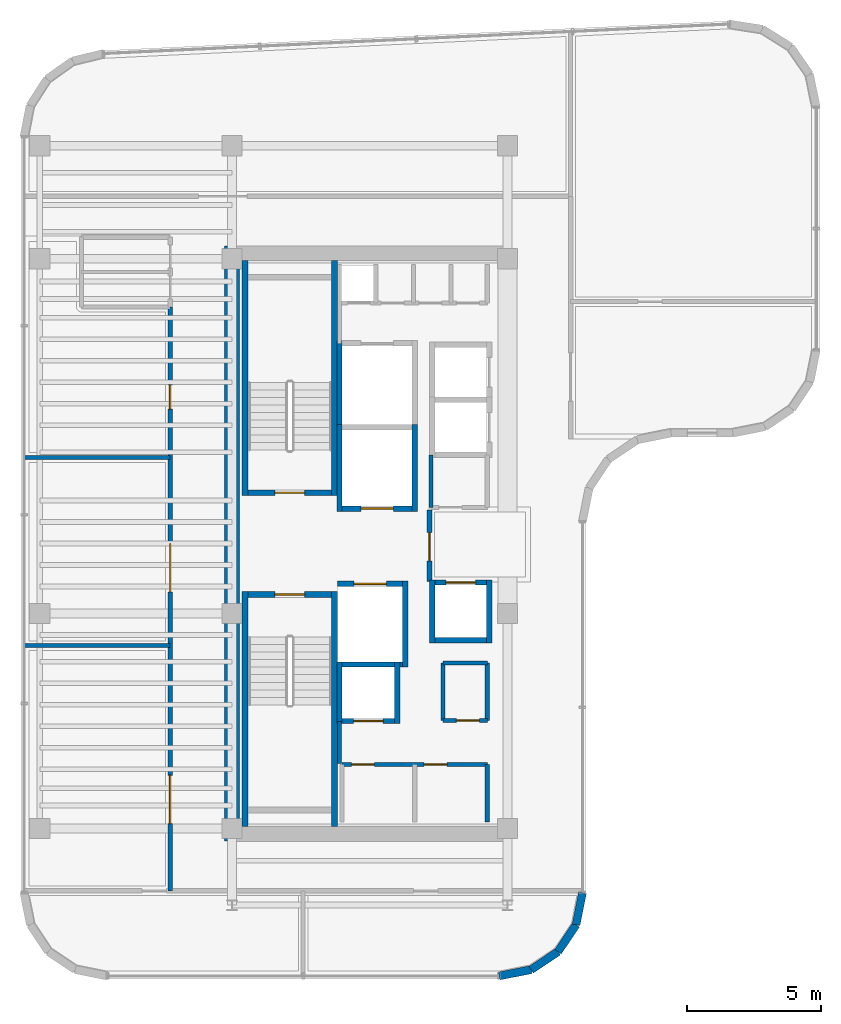
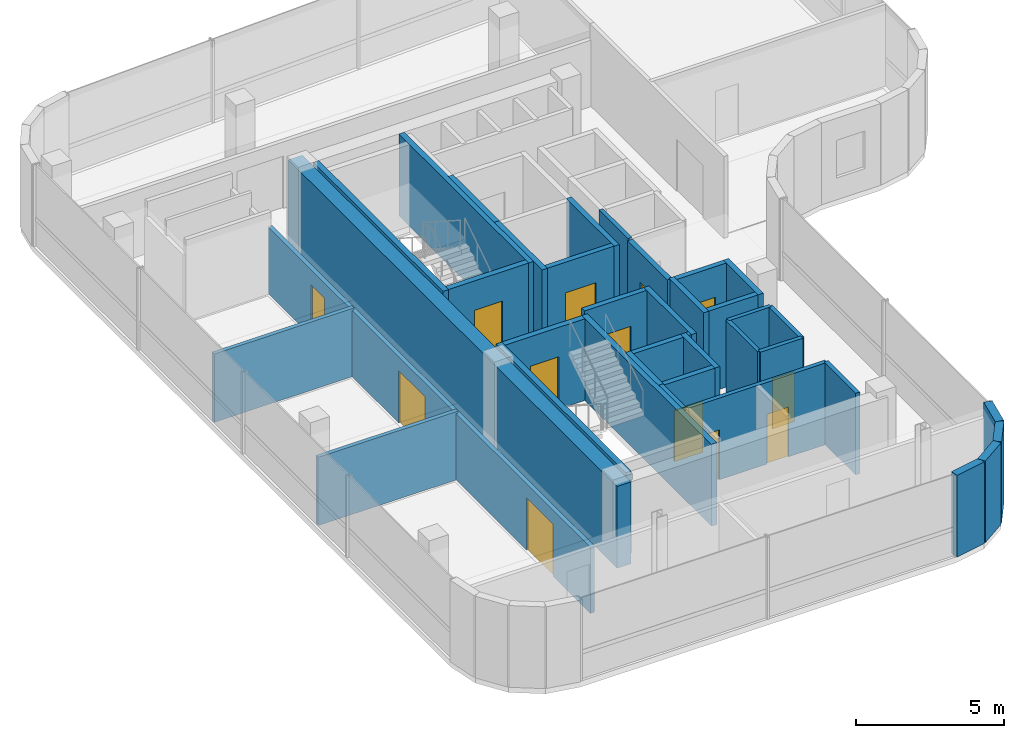
# One storey, part 13 of 17: 37 walls, 13 doors, 13 openings.
"""IFC4 building model written with IfcOpenShell, lengths in metres."""

from ifc_helpers import new_model, si_unit, direction, frame, frame_2d, origin, place, context, subcontext, project, spatial, rectangle, extrude, material, layer, layer_set, type_object, element, fill, save


model = new_model("IFC4")

# Units and contexts
model_context = context("Model", 3, precision=1e-05, world=origin(), true_north=direction((0.0, 1.0)))
body_context = subcontext(model_context, "Body", "Model", "MODEL_VIEW")
ifc_project = project(units=[si_unit("LENGTHUNIT", "METRE"), si_unit("AREAUNIT", "SQUARE_METRE"), si_unit("VOLUMEUNIT", "CUBIC_METRE"), si_unit("PLANEANGLEUNIT", "RADIAN"), si_unit("MASSUNIT", "GRAM", prefix="KILO")], contexts=[model_context])

# Site, building, storey
site_placement = place(None, origin())
site = spatial("IfcSite", under=ifc_project, at=site_placement, CompositionType="ELEMENT")
building_placement = place(site_placement, origin())
building = spatial("IfcBuilding", under=site, at=building_placement, Name="Valdorenza Pilgrim Sanctuary Tower", CompositionType="ELEMENT")
storey_placement = place(building_placement, frame((0.0, 0.0, 287.0)))
storey = spatial("IfcBuildingStorey", under=building, at=storey_placement, Name="L75", CompositionType="ELEMENT", Elevation=287.0)

# Wall
ifc_material_1 = material(Name="Acoustic twin-stud gypsum partition", Category="gypsum")
ifc_layer_1 = layer(ifc_material_1, 0.159912109375, Name="Acoustic twin-stud gypsum partition")
ifc_layer_set_1 = layer_set([ifc_layer_1], Name="Acoustic twin-stud gypsum partition")
wall_type_1 = type_object("IfcWallType", Name="WAL-COR-160", PredefinedType="PARTITIONING", material=ifc_layer_set_1)
wall_1_placement = place(storey_placement, frame((-18.64990234375, -8.179931640625, 0.0), z_axis=(0.0, 0.0, 1.0), x_axis=(0.0, 1.0, 0.0)))
element("IfcWall", 1, at=wall_1_placement, inside=storey, type_object=wall_type_1, Name="L75 Core A South Lift Hall West Wall", PredefinedType="PARTITIONING", context=body_context, shape_type="SweptSolid", body=[
    extrude(rectangle(XDim=1.559814453125, YDim=0.159912109375, at=frame_2d((0.77978515625, 0.0))), origin(), (0.0, 0.0, 1.0), 3.360107421875),
])

# Wall, openings, doors
wall_2_placement = place(storey_placement, frame((-18.550048828125, -8.219970703125, 0.0), z_axis=(0.0, 0.0, 1.0), x_axis=(1.0, 0.0, 0.0)))
wall_2 = element("IfcWall", 2, at=wall_2_placement, inside=storey, type_object=wall_type_1, Name="L75 Freed Shaft 1 North Wall", PredefinedType="PARTITIONING", context=body_context, shape_type="SweptSolid", body=[
    extrude(rectangle(XDim=5.400146484375, YDim=0.159912109375, at=frame_2d((2.7001953125, 0.0))), origin(), (0.0, 0.0, 1.0), 3.360107421875),
])
opening_1_placement = place(wall_2_placement, frame((0.35009765625, 0.0, 0.0)))
opening_1 = element("IfcOpeningElement", 3, at=opening_1_placement, cuts=wall_2, Name="Opening DR-RS1", PredefinedType="OPENING", context=body_context, shape_type="SweptSolid", body=[
    extrude(rectangle(XDim=0.85009765625, YDim=2.050048828125, at=frame_2d((0.425048828125, 1.02490234375))), frame((0.0, 0.0947265625, 0.0), z_axis=(0.0, -1.0, 0.0), x_axis=(1.0, 0.0, 0.0)), (0.0, 0.0, 1.0), 0.189697265625),
])
opening_2_placement = place(wall_2_placement, frame((3.050048828125, 0.0, 0.0)))
opening_2 = element("IfcOpeningElement", 4, at=opening_2_placement, cuts=wall_2, Name="Opening DR-RS1", PredefinedType="OPENING", context=body_context, shape_type="SweptSolid", body=[
    extrude(rectangle(XDim=0.85009765625, YDim=2.050048828125, at=frame_2d((0.425048828125, 1.02490234375))), frame((0.0, 0.0947265625, 0.0), z_axis=(0.0, -1.0, 0.0), x_axis=(1.0, 0.0, 0.0)), (0.0, 0.0, 1.0), 0.189697265625),
])
ifc_material_2 = material(Name="Painted galvanized steel", Category="steel")
door_type_1 = type_object("IfcDoorType", Name="DR-RSR-850", OperationType="NOTDEFINED", PredefinedType="DOOR", material=ifc_material_2)
door_1_placement = place(opening_1_placement, origin())
door_1 = element("IfcDoor", 5, at=door_1_placement, inside=storey, type_object=door_type_1, Name="L75 Linen Store Door", OperationType="SINGLE_SWING_LEFT", OverallHeight=2.050048828125, OverallWidth=0.85009765625, PredefinedType="DOOR", context=body_context, shape_type="SweptSolid", body=[
    extrude(rectangle(XDim=0.85009765625, YDim=2.050048828125, at=frame_2d((0.425048828125, 1.02490234375))), frame((0.0, 0.02490234375, 0.0), z_axis=(0.0, -1.0, 0.0), x_axis=(1.0, 0.0, 0.0)), (0.0, 0.0, 1.0), 0.050048828125),
])
fill(opening_1, door_1)
door_2_placement = place(opening_2_placement, origin())
door_2 = element("IfcDoor", 6, at=door_2_placement, inside=storey, type_object=door_type_1, Name="L75 Cot Store Door", OperationType="SINGLE_SWING_RIGHT", OverallHeight=2.050048828125, OverallWidth=0.85009765625, PredefinedType="DOOR", context=body_context, shape_type="SweptSolid", body=[
    extrude(rectangle(XDim=0.85009765625, YDim=2.050048828125, at=frame_2d((0.425048828125, 1.02490234375))), frame((0.0, 0.02490234375, 0.0), z_axis=(0.0, -1.0, 0.0), x_axis=(1.0, 0.0, 0.0)), (0.0, 0.0, 1.0), 0.050048828125),
])
fill(opening_2, door_2)

# Wall
wall_3_placement = place(storey_placement, frame((-13.14990234375, -10.35009765625, 0.0), z_axis=(0.0, 0.0, 1.0), x_axis=(0.0, 1.0, 0.0)))
element("IfcWall", 7, at=wall_3_placement, inside=storey, type_object=wall_type_1, Name="L75 Freed Shaft 1 East Wall", PredefinedType="PARTITIONING", context=body_context, shape_type="SweptSolid", body=[
    extrude(rectangle(XDim=2.130126953125, YDim=0.159912109375, at=frame_2d((1.06494140625, 0.0))), origin(), (0.0, 0.0, 1.0), 3.360107421875),
])

# Wall, opening, door
wall_4_placement = place(storey_placement, frame((-14.800048828125, -6.580078125, 0.0), z_axis=(0.0, 0.0, 1.0), x_axis=(1.0, 0.0, 0.0)))
wall_4 = element("IfcWall", 8, at=wall_4_placement, inside=storey, type_object=wall_type_1, Name="L75 Freed Shaft 2 South Wall", PredefinedType="PARTITIONING", context=body_context, shape_type="SweptSolid", body=[
    extrude(rectangle(XDim=1.650146484375, YDim=0.159912109375, at=frame_2d((0.8251953125, 0.0))), origin(), (0.0, 0.0, 1.0), 3.360107421875),
])
opening_3_placement = place(wall_4_placement, frame((0.5, 0.0, 0.0)))
opening_3 = element("IfcOpeningElement", 9, at=opening_3_placement, cuts=wall_4, Name="Opening DR-RS1", PredefinedType="OPENING", context=body_context, shape_type="SweptSolid", body=[
    extrude(rectangle(XDim=0.85009765625, YDim=2.050048828125, at=frame_2d((0.425048828125, 1.02490234375))), frame((0.0, 0.0947265625, 0.0), z_axis=(0.0, -1.0, 0.0), x_axis=(1.0, 0.0, 0.0)), (0.0, 0.0, 1.0), 0.189697265625),
])
door_3_placement = place(opening_3_placement, origin())
door_3 = element("IfcDoor", 10, at=door_3_placement, inside=storey, type_object=door_type_1, Name="L75 Guest Tea Pantry Door", OperationType="SINGLE_SWING_LEFT", OverallHeight=2.050048828125, OverallWidth=0.85009765625, PredefinedType="DOOR", context=body_context, shape_type="SweptSolid", body=[
    extrude(rectangle(XDim=0.85009765625, YDim=2.050048828125, at=frame_2d((0.425048828125, 1.02490234375))), frame((0.0, 0.02490234375, 0.0), z_axis=(0.0, -1.0, 0.0), x_axis=(1.0, 0.0, 0.0)), (0.0, 0.0, 1.0), 0.050048828125),
])
fill(opening_3, door_3)

# Wall
wall_5_placement = place(storey_placement, frame((-13.14990234375, -6.580078125, 0.0), z_axis=(0.0, 0.0, 1.0), x_axis=(0.0, 1.0, 0.0)))
element("IfcWall", 11, at=wall_5_placement, inside=storey, type_object=wall_type_1, Name="L75 Freed Shaft 2 East Wall", PredefinedType="PARTITIONING", context=body_context, shape_type="SweptSolid", body=[
    extrude(rectangle(XDim=2.130126953125, YDim=0.159912109375, at=frame_2d((1.06494140625, 0.0))), origin(), (0.0, 0.0, 1.0), 3.360107421875),
])

# Wall, openings, doors
wall_6_placement = place(storey_placement, frame((-24.949951171875, -12.919921875, 0.0), z_axis=(0.0, 0.0, 1.0), x_axis=(0.0, 1.0, 0.0)))
wall_6 = element("IfcWall", 12, at=wall_6_placement, inside=storey, type_object=wall_type_1, Name="L75 Sky West Concourse Wall", PredefinedType="PARTITIONING", context=body_context, shape_type="SweptSolid", body=[
    extrude(rectangle(XDim=21.719970703125, YDim=0.159912109375, at=frame_2d((10.85986328125, 0.0))), origin(), (0.0, 0.0, 1.0), 2.722900390625),
])
opening_4_placement = place(wall_6_placement, frame((2.5, 0.0, 0.0)))
opening_4 = element("IfcOpeningElement", 13, at=opening_4_placement, cuts=wall_6, Name="Opening DR-HL1", PredefinedType="OPENING", context=body_context, shape_type="SweptSolid", body=[
    extrude(rectangle(XDim=1.800048828125, YDim=2.14990234375, at=frame_2d((0.89990234375, 1.074951171875))), frame((0.0, 0.0947265625, 0.0), z_axis=(0.0, -1.0, 0.0), x_axis=(1.0, 0.0, 0.0)), (0.0, 0.0, 1.0), 0.189697265625),
])
opening_5_placement = place(wall_6_placement, frame((11.1201171875, 0.0, 0.0)))
opening_5 = element("IfcOpeningElement", 14, at=opening_5_placement, cuts=wall_6, Name="Opening DR-HL1", PredefinedType="OPENING", context=body_context, shape_type="SweptSolid", body=[
    extrude(rectangle(XDim=1.800048828125, YDim=2.14990234375, at=frame_2d((0.89990234375, 1.074951171875))), frame((0.0, 0.0947265625, 0.0), z_axis=(0.0, -1.0, 0.0), x_axis=(1.0, 0.0, 0.0)), (0.0, 0.0, 1.0), 0.189697265625),
])
opening_6_placement = place(wall_6_placement, frame((17.919921875, 0.0, 0.0)))
opening_6 = element("IfcOpeningElement", 15, at=opening_6_placement, cuts=wall_6, Name="Opening DR-RM1", PredefinedType="OPENING", context=body_context, shape_type="SweptSolid", body=[
    extrude(rectangle(XDim=0.89990234375, YDim=2.10009765625, at=frame_2d((0.449951171875, 1.050048828125))), frame((0.0, 0.0947265625, 0.0), z_axis=(0.0, -1.0, 0.0), x_axis=(1.0, 0.0, 0.0)), (0.0, 0.0, 1.0), 0.189697265625),
])
ifc_material_3 = material(Name="Acoustic oak and vision-glass double door", Category="glass")
door_type_2 = type_object("IfcDoorType", Name="DR-HALL-1800", OperationType="NOTDEFINED", PredefinedType="DOOR", material=ifc_material_3)
door_4_placement = place(opening_4_placement, frame((1.800048828125, 0.0, 0.0), z_axis=(0.0, 0.0, 1.0), x_axis=(-1.0, 0.0, 0.0)))
door_4 = element("IfcDoor", 16, at=door_4_placement, inside=storey, type_object=door_type_2, Name="L75 Sky Lounge South Door", OperationType="DOUBLE_DOOR_SINGLE_SWING", OverallHeight=2.14990234375, OverallWidth=1.800048828125, PredefinedType="DOOR", context=body_context, shape_type="SweptSolid", body=[
    extrude(rectangle(XDim=1.800048828125, YDim=2.14990234375, at=frame_2d((0.89990234375, 1.074951171875))), frame((0.0, 0.02490234375, 0.0), z_axis=(0.0, -1.0, 0.0), x_axis=(1.0, 0.0, 0.0)), (0.0, 0.0, 1.0), 0.050048828125),
])
fill(opening_4, door_4)
door_5_placement = place(opening_5_placement, origin())
door_5 = element("IfcDoor", 17, at=door_5_placement, inside=storey, type_object=door_type_2, Name="L75 Sky Mid Room Door", OperationType="DOUBLE_DOOR_SINGLE_SWING", OverallHeight=2.14990234375, OverallWidth=1.800048828125, PredefinedType="DOOR", context=body_context, shape_type="SweptSolid", body=[
    extrude(rectangle(XDim=1.800048828125, YDim=2.14990234375, at=frame_2d((0.89990234375, 1.074951171875))), frame((0.0, 0.02490234375, 0.0), z_axis=(0.0, -1.0, 0.0), x_axis=(1.0, 0.0, 0.0)), (0.0, 0.0, 1.0), 0.050048828125),
])
fill(opening_5, door_5)
ifc_material_4 = material(Name="Solid-core European oak timber", Category="wood")
door_type_3 = type_object("IfcDoorType", Name="DR-ROOM-900", OperationType="NOTDEFINED", PredefinedType="DOOR", material=ifc_material_4)
door_6_placement = place(opening_6_placement, frame((0.89990234375, 0.0, 0.0), z_axis=(0.0, 0.0, 1.0), x_axis=(-1.0, 0.0, 0.0)))
door_6 = element("IfcDoor", 18, at=door_6_placement, inside=storey, type_object=door_type_3, Name="L75 Sky Office Door", OperationType="SINGLE_SWING_LEFT", OverallHeight=2.10009765625, OverallWidth=0.89990234375, PredefinedType="DOOR", context=body_context, shape_type="SweptSolid", body=[
    extrude(rectangle(XDim=0.89990234375, YDim=2.10009765625, at=frame_2d((0.449951171875, 1.050048828125))), frame((0.0, 0.02490234375, 0.0), z_axis=(0.0, -1.0, 0.0), x_axis=(1.0, 0.0, 0.0)), (0.0, 0.0, 1.0), 0.050048828125),
])
fill(opening_6, door_6)

# Walls
ifc_material_5 = material(Name="Concrete C50/60", Category="concrete")
ifc_layer_2 = layer(ifc_material_5, 0.550048828125, Name="Concrete C50/60")
ifc_layer_set_2 = layer_set([ifc_layer_2], Name="Concrete C50/60")
wall_type_2 = type_object("IfcWallType", Name="WAL-COR-550", PredefinedType="SHEAR", material=ifc_layer_set_2)
wall_7_placement = place(storey_placement, frame((-22.64990234375, -11.074951171875, 0.0), z_axis=(0.0, 0.0, 1.0), x_axis=(0.0, 1.0, 0.0)))
element("IfcWall", 19, at=wall_7_placement, inside=storey, type_object=wall_type_2, Name="L75 Split Core A Shear Wall W", PredefinedType="SHEAR", context=body_context, shape_type="SweptSolid", body=[
    extrude(rectangle(XDim=22.14990234375, YDim=0.550048828125, at=frame_2d((11.074951171875, 0.0))), origin(), (0.0, 0.0, 1.0), 3.360107421875),
])
ifc_material_6 = material(Name="Honed travertine limestone", Category="masonry")
ifc_layer_3 = layer(ifc_material_6, 0.300048828125, Name="Honed travertine limestone")
ifc_layer_set_3 = layer_set([ifc_layer_3], Name="Honed travertine limestone")
wall_type_3 = type_object("IfcWallType", Name="WAL-EXT-300", PredefinedType="SOLIDWALL", material=ifc_layer_set_3)
wall_8_placement = place(storey_placement, frame((-9.610107421875, -12.9892578125, 0.0), z_axis=(0.0, 0.0, 1.0), x_axis=(-0.194996050505, -0.980804027463, 0.0)))
element("IfcWall", 20, at=wall_8_placement, inside=storey, type_object=wall_type_3, Name="L75 Rounded Wind-Corner Stone Pier 22", PredefinedType="SOLIDWALL", context=body_context, shape_type="SweptSolid", body=[
    extrude(rectangle(XDim=1.2158203125, YDim=0.300048828125, at=frame_2d((0.60791015625, 0.0))), origin(), (0.0, 0.0, 1.0), 3.360107421875),
])
for number, where, z_axis, x_axis, name in (
    (21, (-9.84716796875, -14.181640625, 0.0), (0.0, 0.0, 1.0), (-0.555635100982, -0.831426265255, 0.0), "L75 Rounded Wind-Corner Stone Pier 23"),
    (22, (-10.5166015625, -15.183349609375, 0.0), (0.0, 0.0, 1.0), (-0.831426265255, -0.555635100982, 0.0), "L75 Rounded Wind-Corner Stone Pier 24"),
):
    element("IfcWall", number, at=place(storey_placement, frame(where, z_axis=z_axis, x_axis=x_axis)), inside=storey, type_object=wall_type_3, Name=name, PredefinedType="SOLIDWALL", context=body_context, shape_type="SweptSolid", body=[
        extrude(rectangle(XDim=1.204833984375, YDim=0.300048828125, at=frame_2d((0.6025390625, 0.0))), origin(), (0.0, 0.0, 1.0), 3.360107421875),
    ])
wall_9_placement = place(storey_placement, frame((-11.518310546875, -15.852783203125, 0.0), z_axis=(0.0, 0.0, 1.0), x_axis=(-0.980765602568, -0.195189223115, 0.0)))
element("IfcWall", 23, at=wall_9_placement, inside=storey, type_object=wall_type_3, Name="L75 Rounded Wind-Corner Stone Pier 25", PredefinedType="SOLIDWALL", context=body_context, shape_type="SweptSolid", body=[
    extrude(rectangle(XDim=1.2158203125, YDim=0.300048828125, at=frame_2d((0.60791015625, 0.0))), origin(), (0.0, 0.0, 1.0), 3.360107421875),
])

# Wall, opening, door
ifc_material_7 = material(Name="Gypsum shaftwall partition", Category="gypsum")
ifc_layer_4 = layer(ifc_material_7, 0.199951171875, Name="Gypsum shaftwall partition")
ifc_layer_set_4 = layer_set([ifc_layer_4], Name="Gypsum shaftwall partition")
wall_type_4 = type_object("IfcWallType", Name="WAL-FFL-200", PredefinedType="PARTITIONING", material=ifc_layer_set_4)
wall_10_placement = place(storey_placement, frame((-15.300048828125, -1.419921875, 0.0), z_axis=(0.0, 0.0, 1.0), x_axis=(0.0, 1.0, 0.0)))
wall_10 = element("IfcWall", 24, at=wall_10_placement, inside=storey, type_object=wall_type_4, Name="L75 Core A Firefighting Lobby East Wall", PredefinedType="PARTITIONING", context=body_context, shape_type="SweptSolid", body=[
    extrude(rectangle(XDim=2.669921875, YDim=0.199951171875, at=frame_2d((1.3349609375, 0.0))), origin(), (0.0, 0.0, 1.0), 3.360107421875),
])
opening_7_placement = place(wall_10_placement, frame((0.780029296875, 0.0, 0.0)))
opening_7 = element("IfcOpeningElement", 25, at=opening_7_placement, cuts=wall_10, Name="Opening DR-FL1", PredefinedType="OPENING", context=body_context, shape_type="SweptSolid", body=[
    extrude(rectangle(XDim=1.050048828125, YDim=2.14990234375, at=frame_2d((0.52490234375, 1.074951171875))), frame((0.0, 0.11474609375, 0.0), z_axis=(0.0, -1.0, 0.0), x_axis=(1.0, 0.0, 0.0)), (0.0, 0.0, 1.0), 0.229736328125),
])
door_type_4 = type_object("IfcDoorType", Name="DR-FFL-1050", OperationType="NOTDEFINED", PredefinedType="DOOR", material=ifc_material_2)
door_7_placement = place(opening_7_placement, origin())
door_7 = element("IfcDoor", 26, at=door_7_placement, inside=storey, type_object=door_type_4, Name="L75 Core A Firefighting Lobby Door", OperationType="SINGLE_SWING_RIGHT", OverallHeight=2.14990234375, OverallWidth=1.050048828125, PredefinedType="DOOR", context=body_context, shape_type="SweptSolid", body=[
    extrude(rectangle(XDim=1.050048828125, YDim=2.14990234375, at=frame_2d((0.52490234375, 1.074951171875))), frame((0.0, 0.02490234375, 0.0), z_axis=(0.0, -1.0, 0.0), x_axis=(1.0, 0.0, 0.0)), (0.0, 0.0, 1.0), 0.050048828125),
])
fill(opening_7, door_7)

# Walls
ifc_material_8 = material(Name="Autoclaved aerated concrete blockwork", Category="masonry")
ifc_layer_5 = layer(ifc_material_8, 0.199951171875, Name="Autoclaved aerated concrete blockwork")
ifc_layer_set_5 = layer_set([ifc_layer_5], Name="Autoclaved aerated concrete blockwork")
wall_type_5 = type_object("IfcWallType", Name="WAL-SHF-200", PredefinedType="MOVABLE", material=ifc_layer_set_5)
for number, where, z_axis, x_axis, name in (
    (27, (-18.64990234375, 1.199951171875, 0.0), (0.0, 0.0, 1.0), (0.0, 1.0, 0.0), "L75 Lift FFL-01 Hoistway Wall West"),
    (28, (-15.85009765625, 1.199951171875, 0.0), (0.0, 0.0, 1.0), (0.0, 1.0, 0.0), "L75 Lift FFL-01 Hoistway Wall East"),
):
    element("IfcWall", number, at=place(storey_placement, frame(where, z_axis=z_axis, x_axis=x_axis)), inside=storey, type_object=wall_type_5, Name=name, PredefinedType="MOVABLE", context=body_context, shape_type="SweptSolid", body=[
        extrude(rectangle(XDim=3.22509765625, YDim=0.199951171875, at=frame_2d((1.612548828125, 0.0))), origin(), (0.0, 0.0, 1.0), 3.360107421875),
    ])

# Wall, opening, door
wall_11_placement = place(storey_placement, frame((-18.550048828125, 1.300048828125, 0.0), z_axis=(0.0, 0.0, 1.0), x_axis=(1.0, 0.0, 0.0)))
wall_11 = element("IfcWall", 29, at=wall_11_placement, inside=storey, type_object=wall_type_5, Name="L75 Lift FFL-01 Hoistway Wall South", PredefinedType="MOVABLE", context=body_context, shape_type="SweptSolid", body=[
    extrude(rectangle(XDim=2.60009765625, YDim=0.199951171875, at=frame_2d((1.300048828125, 0.0))), origin(), (0.0, 0.0, 1.0), 3.360107421875),
])
opening_8_placement = place(wall_11_placement, frame((0.699951171875, 0.0, 0.0)))
opening_8 = element("IfcOpeningElement", 30, at=opening_8_placement, cuts=wall_11, Name="Opening LD-02", PredefinedType="OPENING", context=body_context, shape_type="SweptSolid", body=[
    extrude(rectangle(XDim=1.199951171875, YDim=2.10009765625, at=frame_2d((0.60009765625, 1.050048828125))), frame((0.0, 0.11474609375, 0.0), z_axis=(0.0, -1.0, 0.0), x_axis=(1.0, 0.0, 0.0)), (0.0, 0.0, 1.0), 0.229736328125),
])
ifc_material_9 = material(Name="Brushed stainless steel Grade 316", Category="steel")
door_type_5 = type_object("IfcDoorType", Name="DR-LFT-1200", OperationType="DOUBLE_DOOR_SLIDING", PredefinedType="DOOR", material=ifc_material_9)
door_8_placement = place(opening_8_placement, origin())
door_8 = element("IfcDoor", 31, at=door_8_placement, inside=storey, type_object=door_type_5, Name="L75 Lift FFL-01 Sliding Landing Door", OperationType="DOUBLE_DOOR_SLIDING", OverallHeight=2.10009765625, OverallWidth=1.199951171875, PredefinedType="DOOR", context=body_context, shape_type="SweptSolid", body=[
    extrude(rectangle(XDim=1.199951171875, YDim=2.10009765625, at=frame_2d((0.60009765625, 1.050048828125))), frame((0.0, 0.02490234375, 0.0), z_axis=(0.0, -1.0, 0.0), x_axis=(1.0, 0.0, 0.0)), (0.0, 0.0, 1.0), 0.050048828125),
])
fill(opening_8, door_8)

# Walls
wall_12_placement = place(storey_placement, frame((-16.199951171875, -4.60009765625, 0.0), z_axis=(0.0, 0.0, 1.0), x_axis=(0.0, 1.0, 0.0)))
element("IfcWall", 32, at=wall_12_placement, inside=storey, type_object=wall_type_5, Name="L75 Lift FFL-02 Hoistway Wall East", PredefinedType="MOVABLE", context=body_context, shape_type="SweptSolid", body=[
    extrude(rectangle(XDim=3.2001953125, YDim=0.199951171875, at=frame_2d((1.60009765625, 0.0))), origin(), (0.0, 0.0, 1.0), 3.360107421875),
])
wall_13_placement = place(storey_placement, frame((-18.719970703125, -4.5, 0.0), z_axis=(0.0, 0.0, 1.0), x_axis=(1.0, 0.0, 0.0)))
element("IfcWall", 33, at=wall_13_placement, inside=storey, type_object=wall_type_5, Name="L75 Lift FFL-02 Hoistway Wall South", PredefinedType="MOVABLE", context=body_context, shape_type="SweptSolid", body=[
    extrude(rectangle(XDim=2.419921875, YDim=0.199951171875, at=frame_2d((1.2099609375, 0.0))), origin(), (0.0, 0.0, 1.0), 3.360107421875),
])

# Wall, opening, door
wall_14_placement = place(storey_placement, frame((-18.719970703125, -1.5, 0.0), z_axis=(0.0, 0.0, 1.0), x_axis=(1.0, 0.0, 0.0)))
wall_14 = element("IfcWall", 34, at=wall_14_placement, inside=storey, type_object=wall_type_5, Name="L75 Lift FFL-02 Hoistway Wall North", PredefinedType="MOVABLE", context=body_context, shape_type="SweptSolid", body=[
    extrude(rectangle(XDim=2.419921875, YDim=0.199951171875, at=frame_2d((1.2099609375, 0.0))), origin(), (0.0, 0.0, 1.0), 3.360107421875),
])
opening_9_placement = place(wall_14_placement, frame((0.610107421875, 0.0, 0.0)))
opening_9 = element("IfcOpeningElement", 35, at=opening_9_placement, cuts=wall_14, Name="Opening LD-02", PredefinedType="OPENING", context=body_context, shape_type="SweptSolid", body=[
    extrude(rectangle(XDim=1.199951171875, YDim=2.10009765625, at=frame_2d((0.60009765625, 1.050048828125))), frame((0.0, 0.11474609375, 0.0), z_axis=(0.0, -1.0, 0.0), x_axis=(1.0, 0.0, 0.0)), (0.0, 0.0, 1.0), 0.229736328125),
])
door_9_placement = place(opening_9_placement, origin())
door_9 = element("IfcDoor", 36, at=door_9_placement, inside=storey, type_object=door_type_5, Name="L75 Lift FFL-02 Sliding Landing Door", OperationType="DOUBLE_DOOR_SLIDING", OverallHeight=2.10009765625, OverallWidth=1.199951171875, PredefinedType="DOOR", context=body_context, shape_type="SweptSolid", body=[
    extrude(rectangle(XDim=1.199951171875, YDim=2.10009765625, at=frame_2d((0.60009765625, 1.050048828125))), frame((0.0, 0.02490234375, 0.0), z_axis=(0.0, -1.0, 0.0), x_axis=(1.0, 0.0, 0.0)), (0.0, 0.0, 1.0), 0.050048828125),
])
fill(opening_9, door_9)

# Walls
wall_15_placement = place(storey_placement, frame((-18.64990234375, 4.22509765625, 0.0), z_axis=(0.0, 0.0, 1.0), x_axis=(0.0, 1.0, 0.0)))
element("IfcWall", 37, at=wall_15_placement, inside=storey, type_object=wall_type_5, Name="L75 Lift SVL-01 Hoistway Wall West", PredefinedType="MOVABLE", context=body_context, shape_type="SweptSolid", body=[
    extrude(rectangle(XDim=3.324951171875, YDim=0.199951171875, at=frame_2d((1.66259765625, 0.0))), origin(), (0.0, 0.0, 1.0), 3.360107421875),
])
for number, where, z_axis, x_axis, name in (
    (38, (-18.64990234375, -6.699951171875, 0.0), (0.0, 0.0, 1.0), (0.0, 1.0, 0.0), "L75 Lift PL-11 Hoistway Wall West"),
    (39, (-16.5, -6.699951171875, 0.0), (0.0, 0.0, 1.0), (0.0, 1.0, 0.0), "L75 Lift PL-11 Hoistway Wall East"),
):
    element("IfcWall", number, at=place(storey_placement, frame(where, z_axis=z_axis, x_axis=x_axis)), inside=storey, type_object=wall_type_5, Name=name, PredefinedType="MOVABLE", context=body_context, shape_type="SweptSolid", body=[
        extrude(rectangle(XDim=2.300048828125, YDim=0.199951171875, at=frame_2d((1.14990234375, 0.0))), origin(), (0.0, 0.0, 1.0), 3.360107421875),
    ])

# Wall, opening, door
wall_16_placement = place(storey_placement, frame((-18.550048828125, -6.60009765625, 0.0), z_axis=(0.0, 0.0, 1.0), x_axis=(1.0, 0.0, 0.0)))
wall_16 = element("IfcWall", 40, at=wall_16_placement, inside=storey, type_object=wall_type_5, Name="L75 Lift PL-11 Hoistway Wall South", PredefinedType="MOVABLE", context=body_context, shape_type="SweptSolid", body=[
    extrude(rectangle(XDim=1.949951171875, YDim=0.199951171875, at=frame_2d((0.97509765625, 0.0))), origin(), (0.0, 0.0, 1.0), 3.360107421875),
])
opening_10_placement = place(wall_16_placement, frame((0.425048828125, 0.0, 0.0)))
opening_10 = element("IfcOpeningElement", 41, at=opening_10_placement, cuts=wall_16, Name="Opening LD-01", PredefinedType="OPENING", context=body_context, shape_type="SweptSolid", body=[
    extrude(rectangle(XDim=1.10009765625, YDim=2.10009765625, at=frame_2d((0.550048828125, 1.050048828125))), frame((0.0, 0.11474609375, 0.0), z_axis=(0.0, -1.0, 0.0), x_axis=(1.0, 0.0, 0.0)), (0.0, 0.0, 1.0), 0.229736328125),
])
door_type_6 = type_object("IfcDoorType", Name="DR-LFT-1100", OperationType="DOUBLE_DOOR_SLIDING", PredefinedType="DOOR", material=ifc_material_9)
door_10_placement = place(opening_10_placement, origin())
door_10 = element("IfcDoor", 42, at=door_10_placement, inside=storey, type_object=door_type_6, Name="L75 Lift PL-11 Sliding Landing Door", OperationType="DOUBLE_DOOR_SLIDING", OverallHeight=2.10009765625, OverallWidth=1.10009765625, PredefinedType="DOOR", context=body_context, shape_type="SweptSolid", body=[
    extrude(rectangle(XDim=1.10009765625, YDim=2.10009765625, at=frame_2d((0.550048828125, 1.050048828125))), frame((0.0, 0.02490234375, 0.0), z_axis=(0.0, -1.0, 0.0), x_axis=(1.0, 0.0, 0.0)), (0.0, 0.0, 1.0), 0.050048828125),
])
fill(opening_10, door_10)

# Walls
for number, where, z_axis, x_axis, name in (
    (43, (-15.199951171875, -3.699951171875, 0.0), (0.0, 0.0, 1.0), (0.0, 1.0, 0.0), "L75 Lift PL-12 Hoistway Wall West"),
    (44, (-13.080078125, -3.699951171875, 0.0), (0.0, 0.0, 1.0), (0.0, 1.0, 0.0), "L75 Lift PL-12 Hoistway Wall East"),
):
    element("IfcWall", number, at=place(storey_placement, frame(where, z_axis=z_axis, x_axis=x_axis)), inside=storey, type_object=wall_type_5, Name=name, PredefinedType="MOVABLE", context=body_context, shape_type="SweptSolid", body=[
        extrude(rectangle(XDim=2.349853515625, YDim=0.199951171875, at=frame_2d((1.1748046875, 0.0))), origin(), (0.0, 0.0, 1.0), 3.360107421875),
    ])
wall_17_placement = place(storey_placement, frame((-15.10009765625, -3.60009765625, 0.0), z_axis=(0.0, 0.0, 1.0), x_axis=(1.0, 0.0, 0.0)))
element("IfcWall", 45, at=wall_17_placement, inside=storey, type_object=wall_type_5, Name="L75 Lift PL-12 Hoistway Wall South", PredefinedType="MOVABLE", context=body_context, shape_type="SweptSolid", body=[
    extrude(rectangle(XDim=1.920166015625, YDim=0.199951171875, at=frame_2d((0.9599609375, 0.0))), origin(), (0.0, 0.0, 1.0), 3.360107421875),
])

# Wall, opening, door
wall_18_placement = place(storey_placement, frame((-15.10009765625, -1.449951171875, 0.0), z_axis=(0.0, 0.0, 1.0), x_axis=(1.0, 0.0, 0.0)))
wall_18 = element("IfcWall", 46, at=wall_18_placement, inside=storey, type_object=wall_type_5, Name="L75 Lift PL-12 Hoistway Wall North", PredefinedType="MOVABLE", context=body_context, shape_type="SweptSolid", body=[
    extrude(rectangle(XDim=1.920166015625, YDim=0.199951171875, at=frame_2d((0.9599609375, 0.0))), origin(), (0.0, 0.0, 1.0), 3.360107421875),
])
opening_11_placement = place(wall_18_placement, frame((0.409912109375, 0.0, 0.0)))
opening_11 = element("IfcOpeningElement", 47, at=opening_11_placement, cuts=wall_18, Name="Opening LD-01", PredefinedType="OPENING", context=body_context, shape_type="SweptSolid", body=[
    extrude(rectangle(XDim=1.10009765625, YDim=2.10009765625, at=frame_2d((0.550048828125, 1.050048828125))), frame((0.0, 0.11474609375, 0.0), z_axis=(0.0, -1.0, 0.0), x_axis=(1.0, 0.0, 0.0)), (0.0, 0.0, 1.0), 0.229736328125),
])
door_11_placement = place(opening_11_placement, origin())
door_11 = element("IfcDoor", 48, at=door_11_placement, inside=storey, type_object=door_type_6, Name="L75 Lift PL-12 Sliding Landing Door", OperationType="DOUBLE_DOOR_SLIDING", OverallHeight=2.10009765625, OverallWidth=1.10009765625, PredefinedType="DOOR", context=body_context, shape_type="SweptSolid", body=[
    extrude(rectangle(XDim=1.10009765625, YDim=2.10009765625, at=frame_2d((0.550048828125, 1.050048828125))), frame((0.0, 0.02490234375, 0.0), z_axis=(0.0, -1.0, 0.0), x_axis=(1.0, 0.0, 0.0)), (0.0, 0.0, 1.0), 0.050048828125),
])
fill(opening_11, door_11)

# Walls
ifc_material_10 = material(Name="Concrete C40/50", Category="concrete")
ifc_layer_6 = layer(ifc_material_10, 0.219970703125, Name="Concrete C40/50")
ifc_layer_set_6 = layer_set([ifc_layer_6], Name="Concrete C40/50")
wall_type_6 = type_object("IfcWallType", Name="WAL-STR-SHF-220", PredefinedType="SHEAR", material=ifc_layer_set_6)
for number, where, z_axis, x_axis, name in (
    (49, (-22.159912109375, 1.780029296875, 0.0), (0.0, 0.0, 1.0), (0.0, 1.0, 0.0), "L75 ST-A1 Structural Stairwell Wall W"),
    (50, (-18.830078125, 1.780029296875, 0.0), (0.0, 0.0, 1.0), (0.0, 1.0, 0.0), "L75 ST-A1 Structural Stairwell Wall E"),
):
    element("IfcWall", number, at=place(storey_placement, frame(where, z_axis=z_axis, x_axis=x_axis)), inside=storey, type_object=wall_type_6, Name=name, PredefinedType="SHEAR", context=body_context, shape_type="SweptSolid", body=[
        extrude(rectangle(XDim=8.744873046875, YDim=0.219970703125, at=frame_2d((4.37255859375, 0.0))), origin(), (0.0, 0.0, 1.0), 3.360107421875),
    ])

# Wall, opening, door
wall_19_placement = place(storey_placement, frame((-22.050048828125, 1.889892578125, 0.0), z_axis=(0.0, 0.0, 1.0), x_axis=(1.0, 0.0, 0.0)))
wall_19 = element("IfcWall", 51, at=wall_19_placement, inside=storey, type_object=wall_type_6, Name="L75 ST-A1 Structural Stairwell Wall S", PredefinedType="SHEAR", context=body_context, shape_type="SweptSolid", body=[
    extrude(rectangle(XDim=3.110107421875, YDim=0.219970703125, at=frame_2d((1.55517578125, 0.0))), origin(), (0.0, 0.0, 1.0), 3.360107421875),
])
opening_12_placement = place(wall_19_placement, frame((1.0, 0.0, 0.0)))
opening_12 = element("IfcOpeningElement", 52, at=opening_12_placement, cuts=wall_19, Name="Opening DR-ST1", PredefinedType="OPENING", context=body_context, shape_type="SweptSolid", body=[
    extrude(rectangle(XDim=1.10009765625, YDim=2.14990234375, at=frame_2d((0.550048828125, 1.074951171875))), frame((0.0, 0.125, 0.0), z_axis=(0.0, -1.0, 0.0), x_axis=(1.0, 0.0, 0.0)), (0.0, 0.0, 1.0), 0.249755859375),
])
door_type_7 = type_object("IfcDoorType", Name="DR-STAIR-1100", OperationType="NOTDEFINED", PredefinedType="DOOR", material=ifc_material_2)
door_12_placement = place(opening_12_placement, frame((1.10009765625, 0.0, 0.0), z_axis=(0.0, 0.0, 1.0), x_axis=(-1.0, 0.0, 0.0)))
door_12 = element("IfcDoor", 53, at=door_12_placement, inside=storey, type_object=door_type_7, Name="L75 Exit Stair ST-A1 Door", OperationType="SINGLE_SWING_LEFT", OverallHeight=2.14990234375, OverallWidth=1.10009765625, PredefinedType="DOOR", context=body_context, shape_type="SweptSolid", body=[
    extrude(rectangle(XDim=1.10009765625, YDim=2.14990234375, at=frame_2d((0.550048828125, 1.074951171875))), frame((0.0, 0.02490234375, 0.0), z_axis=(0.0, -1.0, 0.0), x_axis=(1.0, 0.0, 0.0)), (0.0, 0.0, 1.0), 0.050048828125),
])
fill(opening_12, door_12)

# Walls
for number, where, z_axis, x_axis, name in (
    (54, (-22.159912109375, -10.52490234375, 0.0), (0.0, 0.0, 1.0), (0.0, 1.0, 0.0), "L75 ST-A2 Structural Stairwell Wall W"),
    (55, (-18.830078125, -10.52490234375, 0.0), (0.0, 0.0, 1.0), (0.0, 1.0, 0.0), "L75 ST-A2 Structural Stairwell Wall E"),
):
    element("IfcWall", number, at=place(storey_placement, frame(where, z_axis=z_axis, x_axis=x_axis)), inside=storey, type_object=wall_type_6, Name=name, PredefinedType="SHEAR", context=body_context, shape_type="SweptSolid", body=[
        extrude(rectangle(XDim=8.744873046875, YDim=0.219970703125, at=frame_2d((4.37255859375, 0.0))), origin(), (0.0, 0.0, 1.0), 3.360107421875),
    ])

# Wall, opening, door
wall_20_placement = place(storey_placement, frame((-22.050048828125, -1.889892578125, 0.0), z_axis=(0.0, 0.0, 1.0), x_axis=(1.0, 0.0, 0.0)))
wall_20 = element("IfcWall", 56, at=wall_20_placement, inside=storey, type_object=wall_type_6, Name="L75 ST-A2 Structural Stairwell Wall N", PredefinedType="SHEAR", context=body_context, shape_type="SweptSolid", body=[
    extrude(rectangle(XDim=3.110107421875, YDim=0.219970703125, at=frame_2d((1.55517578125, 0.0))), origin(), (0.0, 0.0, 1.0), 3.360107421875),
])
opening_13_placement = place(wall_20_placement, frame((1.0, 0.0, 0.0)))
opening_13 = element("IfcOpeningElement", 57, at=opening_13_placement, cuts=wall_20, Name="Opening DR-ST1", PredefinedType="OPENING", context=body_context, shape_type="SweptSolid", body=[
    extrude(rectangle(XDim=1.10009765625, YDim=2.14990234375, at=frame_2d((0.550048828125, 1.074951171875))), frame((0.0, 0.125, 0.0), z_axis=(0.0, -1.0, 0.0), x_axis=(1.0, 0.0, 0.0)), (0.0, 0.0, 1.0), 0.249755859375),
])
door_13_placement = place(opening_13_placement, origin())
door_13 = element("IfcDoor", 58, at=door_13_placement, inside=storey, type_object=door_type_7, Name="L75 Exit Stair ST-A2 Door", OperationType="SINGLE_SWING_RIGHT", OverallHeight=2.14990234375, OverallWidth=1.10009765625, PredefinedType="DOOR", context=body_context, shape_type="SweptSolid", body=[
    extrude(rectangle(XDim=1.10009765625, YDim=2.14990234375, at=frame_2d((0.550048828125, 1.074951171875))), frame((0.0, 0.02490234375, 0.0), z_axis=(0.0, -1.0, 0.0), x_axis=(1.0, 0.0, 0.0)), (0.0, 0.0, 1.0), 0.050048828125),
])
fill(opening_13, door_13)

# Walls
ifc_layer_7 = layer(ifc_material_1, 0.14990234375, Name="Acoustic twin-stud gypsum partition")
ifc_layer_set_7 = layer_set([ifc_layer_7], Name="Acoustic twin-stud gypsum partition")
wall_type_7 = type_object("IfcWallType", Name="WAL-UNT-150", PredefinedType="PARTITIONING", material=ifc_layer_set_7)
wall_21_placement = place(storey_placement, frame((-14.800048828125, -6.580078125, 0.0), z_axis=(0.0, 0.0, 1.0), x_axis=(0.0, 1.0, 0.0)))
element("IfcWall", 59, at=wall_21_placement, inside=storey, type_object=wall_type_7, Name="L75 Freed Shaft 2 West Wall", PredefinedType="PARTITIONING", context=body_context, shape_type="SweptSolid", body=[
    extrude(rectangle(XDim=2.130126953125, YDim=0.14990234375, at=frame_2d((1.06494140625, 0.0))), origin(), (0.0, 0.0, 1.0), 3.360107421875),
])
wall_22_placement = place(storey_placement, frame((-14.800048828125, -4.449951171875, 0.0), z_axis=(0.0, 0.0, 1.0), x_axis=(1.0, 0.0, 0.0)))
element("IfcWall", 60, at=wall_22_placement, inside=storey, type_object=wall_type_7, Name="L75 Freed Shaft 2 North Wall", PredefinedType="PARTITIONING", context=body_context, shape_type="SweptSolid", body=[
    extrude(rectangle(XDim=1.650146484375, YDim=0.14990234375, at=frame_2d((0.8251953125, 0.0))), origin(), (0.0, 0.0, 1.0), 3.360107421875),
])
wall_23_placement = place(storey_placement, frame((-15.25, 1.35009765625, 0.0), z_axis=(0.0, 0.0, 1.0), x_axis=(0.0, 1.0, 0.0)))
element("IfcWall", 61, at=wall_23_placement, inside=storey, type_object=wall_type_7, Name="L75 Freed Shaft 6 West Wall", PredefinedType="PARTITIONING", context=body_context, shape_type="SweptSolid", body=[
    extrude(rectangle(XDim=1.949951171875, YDim=0.14990234375, at=frame_2d((0.97509765625, 0.0))), origin(), (0.0, 0.0, 1.0), 3.360107421875),
])
for number, where, z_axis, x_axis, name in (
    (62, (-30.389892578125, -3.800048828125, 0.0), (0.0, 0.0, 1.0), (1.0, 0.0, 0.0), "L75 Sky West Partition 1"),
    (63, (-30.389892578125, 3.199951171875, 0.0), (0.0, 0.0, 1.0), (1.0, 0.0, 0.0), "L75 Sky West Partition 2"),
):
    element("IfcWall", number, at=place(storey_placement, frame(where, z_axis=z_axis, x_axis=x_axis)), inside=storey, type_object=wall_type_7, Name=name, PredefinedType="PARTITIONING", context=body_context, shape_type="SweptSolid", body=[
        extrude(rectangle(XDim=5.43994140625, YDim=0.14990234375, at=frame_2d((2.719970703125, 0.0))), origin(), (0.0, 0.0, 1.0), 2.805908203125),
    ])

save(model, "model.ifc")
